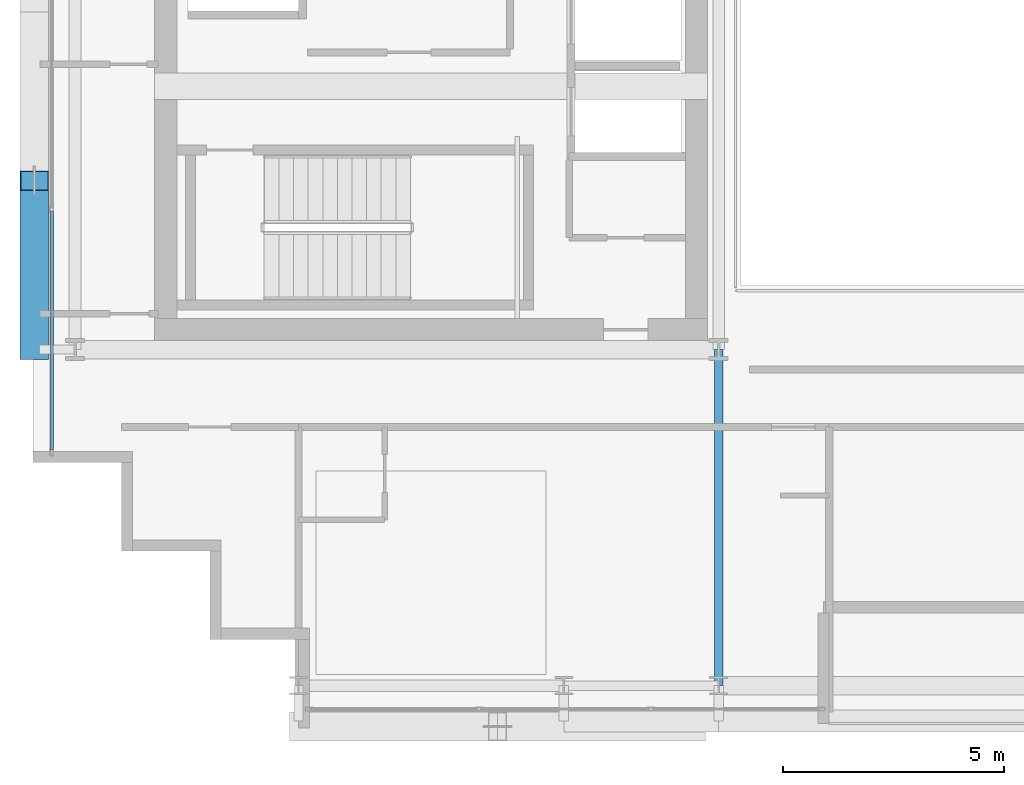
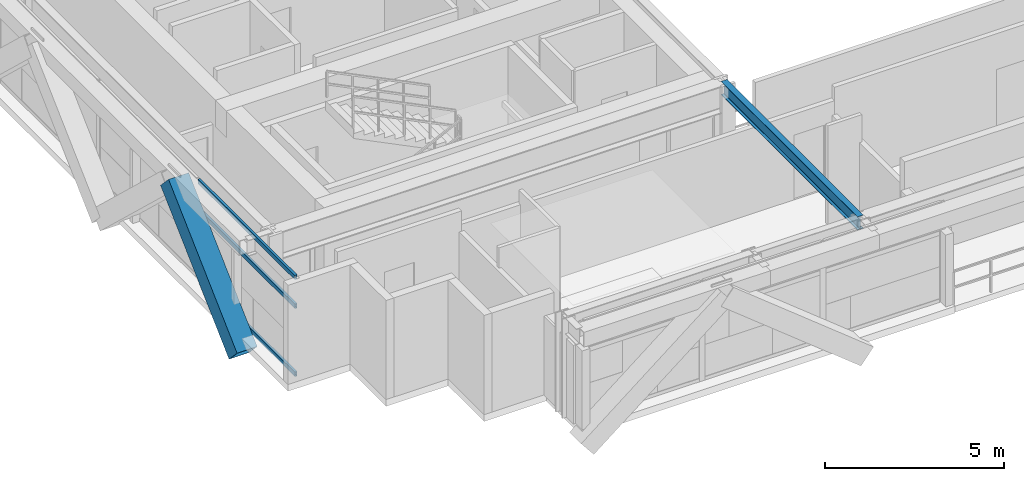
# One storey, part 3 of 30: 4 members, 1 beam, 1 element without a shape of its own.
"""IFC4 building model written with IfcOpenShell, lengths in metres."""

from ifc_helpers import new_model, si_unit, direction, frame, origin, origin_2d, place, context, subcontext, project, spatial, hollow_rectangle, i_section, extrude, source, transform, mapped, material, layer, layer_set, material_profile, profile_set, type_object, element, aggregate, save


model = new_model("IFC4")

# Units and contexts
model_context = context("Model", 3, precision=1e-05, world=origin(), true_north=direction((0.0, 1.0)))
body_context = subcontext(model_context, "Body", "Model", "MODEL_VIEW")
ifc_project = project(units=[si_unit("LENGTHUNIT", "METRE"), si_unit("AREAUNIT", "SQUARE_METRE"), si_unit("VOLUMEUNIT", "CUBIC_METRE"), si_unit("PLANEANGLEUNIT", "RADIAN"), si_unit("MASSUNIT", "GRAM", prefix="KILO")], contexts=[model_context])

# Site, building, storey
site_placement = place(None, origin())
site = spatial("IfcSite", under=ifc_project, at=site_placement, CompositionType="ELEMENT")
building_placement = place(site_placement, origin())
building = spatial("IfcBuilding", under=site, at=building_placement, Name="Ocotamira Hotel", CompositionType="ELEMENT")
storey_placement = place(building_placement, frame((0.0, 0.0, 195.60009765625)))
storey = spatial("IfcBuildingStorey", under=building, at=storey_placement, Name="L49", CompositionType="ELEMENT", Elevation=195.60009765625)

# Beam
ifc_material_1 = material(Name="Steel ASTM A992 Grade 50", Category="steel")
ifc_material_profile_1 = material_profile(ifc_material_1, i_section(OverallWidth=0.18994140625, OverallDepth=0.45703125, WebThickness=0.009033203125, FlangeThickness=0.014404296875, FilletRadius=0.010009765625, at=origin_2d()), Name="W18X50")
ifc_profile_set_1 = profile_set([ifc_material_profile_1], Name="Steel ASTM A992 Grade 50")
beam_type = type_object("IfcBeamType", Name="BM-SEC-W18X50", PredefinedType="JOIST", material=ifc_profile_set_1)
shared_shape_1 = source(origin(), body_context, "Body", "SweptSolid", [
    extrude(i_section(OverallWidth=0.18994140625, OverallDepth=0.45703125, WebThickness=0.009033203125, FlangeThickness=0.014404296875, FilletRadius=0.010009765625, at=origin_2d()), origin(), (0.0, 0.0, 1.0), 7.60009765625),
])
beam_placement = place(storey_placement, frame((23.5, 6.949951171875, 3.141357421875), z_axis=(0.0, 1.0, 0.0), x_axis=(-1.0, 0.0, 0.0)))
element("IfcBeam", 1, at=beam_placement, inside=storey, type_object=beam_type, Name="L49 Beam X23.5 Y6.95-14.55", PredefinedType="JOIST", context=body_context, shape_type="MappedRepresentation", body=[
    mapped(shared_shape_1, transform((0.0, 0.0, 0.0), scale=1.0)),
])

# Member
ifc_material_2 = material(Name="Pale-metal coated steel ASTM A913 Grade 65", Category="steel")
ifc_material_profile_2 = material_profile(ifc_material_2, hollow_rectangle(XDim=0.64990234375, YDim=0.64990234375, WallThickness=0.02197265625, at=origin_2d()), Name="BOX650X650X22")
ifc_profile_set_2 = profile_set([ifc_material_profile_2], Name="Pale-metal coated steel ASTM A913 Grade 65")
member_type_1 = type_object("IfcMemberType", Name="MEM-EXO-BOX650", PredefinedType="BRACE", material=ifc_profile_set_2)
shared_shape_2 = source(origin(), body_context, "Body", "SweptSolid", [
    extrude(hollow_rectangle(XDim=0.64990234375, YDim=0.64990234375, WallThickness=0.02197265625, at=origin_2d()), origin(), (0.0, 0.0, 1.0), 5.24658203125),
])
member_1_placement = place(storey_placement, frame((8.030029296875, 14.550048828125, -0.47998046875), z_axis=(0.0, 0.72746596067, 0.686143772154), x_axis=(-1.0, 0.0, 0.0)))
element("IfcMember", 2, at=member_1_placement, inside=storey, type_object=member_type_1, Name="L49 Exoskeleton Diagrid W0.1", PredefinedType="BRACE", context=body_context, shape_type="MappedRepresentation", body=[
    mapped(shared_shape_2, transform((0.0, 0.0, 0.0), scale=1.0)),
])

# Curtain wall, members
ifc_material_3 = material(Name="Anodised pale-metal aluminium and solar glass", Category="aluminium")
ifc_layer = layer(ifc_material_3, 0.199951171875)
ifc_layer_set = layer_set([ifc_layer], Name="Anodised pale-metal aluminium and solar glass")
curtain_wall_type = type_object("IfcCurtainWallType", Name="CW-SYS4-Z3", PredefinedType="NOTDEFINED", material=ifc_layer_set)
curtain_wall_placement = place(storey_placement, origin())
curtain_wall = element("IfcCurtainWall", 3, at=curtain_wall_placement, inside=storey, type_object=curtain_wall_type, Name="L49 Curtain Wall CW-4 CW-L49-W", PredefinedType="NOTDEFINED")
ifc_material_4 = material(Name="Anodised pale-metal aluminium 6063-T6", Category="aluminium")
ifc_material_profile_3 = material_profile(ifc_material_4, hollow_rectangle(XDim=0.074951171875, YDim=0.14990234375, WallThickness=0.006103515625, at=origin_2d()), Name="HSS150X75X6")
ifc_profile_set_3 = profile_set([ifc_material_profile_3], Name="Anodised pale-metal aluminium 6063-T6")
member_type_2 = type_object("IfcMemberType", Name="CWT-150X75", PredefinedType="USERDEFINED", material=ifc_profile_set_3)
shared_shape_3 = source(origin(), body_context, "Body", "SweptSolid", [
    extrude(hollow_rectangle(XDim=0.074951171875, YDim=0.14990234375, WallThickness=0.006103515625, at=origin_2d()), origin(), (0.0, 0.0, 1.0), 5.39990234375),
])
member_2_placement = place(storey_placement, frame((8.419921875, 12.280029296875, 0.037353515625), z_axis=(0.0, 1.0, 0.0), x_axis=(-1.0, 0.0, 0.0)))
member_2 = element("IfcMember", 4, at=member_2_placement, type_object=member_type_2, Name="CW-4 transom 1.1", ObjectType="TRANSOM", PredefinedType="USERDEFINED", context=body_context, shape_type="MappedRepresentation", body=[
    mapped(shared_shape_3, transform((0.0, 0.0, 0.0), scale=1.0)),
])
member_3_placement = place(storey_placement, frame((8.419921875, 12.280029296875, 2.349853515625), z_axis=(0.0, 1.0, 0.0), x_axis=(-1.0, 0.0, 0.0)))
member_3 = element("IfcMember", 5, at=member_3_placement, type_object=member_type_2, Name="CW-4 transom 1.2", ObjectType="TRANSOM", PredefinedType="USERDEFINED", context=body_context, shape_type="MappedRepresentation", body=[
    mapped(shared_shape_3, transform((0.0, 0.0, 0.0), scale=1.0)),
])
member_4_placement = place(storey_placement, frame((8.419921875, 12.280029296875, 3.33251953125), z_axis=(0.0, 1.0, 0.0), x_axis=(-1.0, 0.0, 0.0)))
member_4 = element("IfcMember", 6, at=member_4_placement, type_object=member_type_2, Name="CW-4 transom 1.3", ObjectType="TRANSOM", PredefinedType="USERDEFINED", context=body_context, shape_type="MappedRepresentation", body=[
    mapped(shared_shape_3, transform((0.0, 0.0, 0.0), scale=1.0)),
])
aggregate(curtain_wall, [member_2, member_3, member_4])

save(model, "model.ifc")
